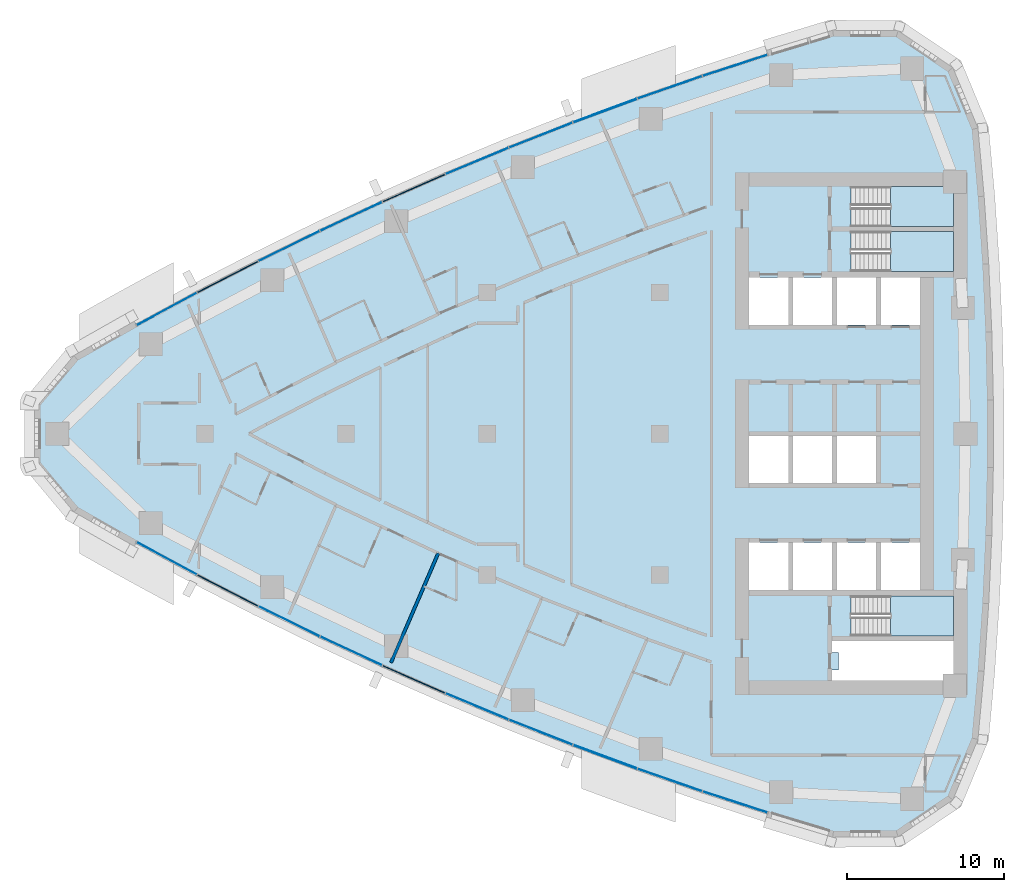
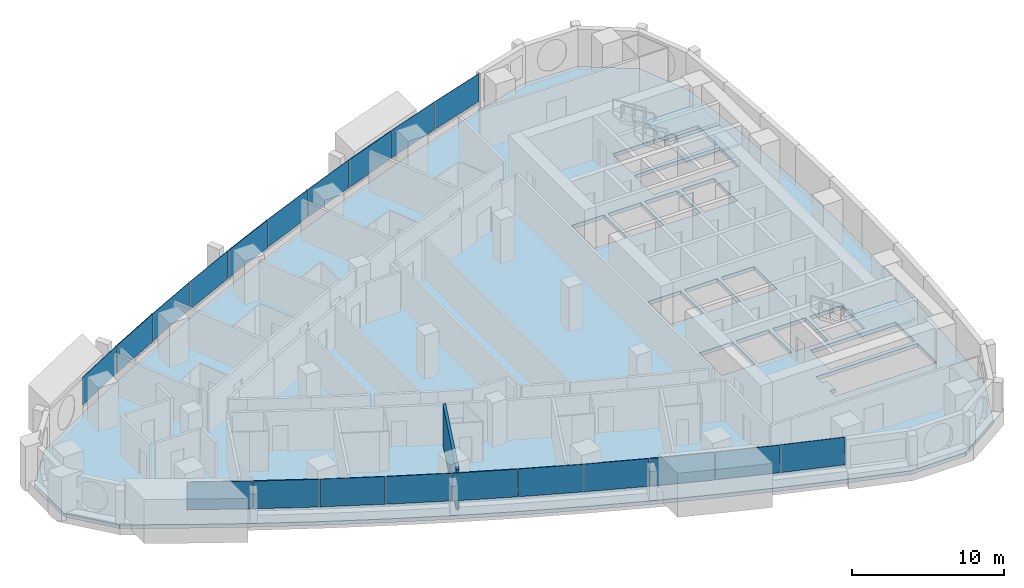
# One storey, part 7 of 17: 20 plates, 4 slabs, 1 wall, 1 opening, 13 elements without a shape of their own.
"""IFC4 building model written with IfcOpenShell, lengths in metres."""

from ifc_helpers import new_model, si_unit, direction, frame, frame_2d, origin, origin_2d, place, context, subcontext, project, spatial, polyline, rectangle, outline, extrude, material, layer, layer_set, type_object, element, aggregate, save


model = new_model("IFC4")

# Units and contexts
model_context = context("Model", 3, precision=1e-05, world=origin(), true_north=direction((0.0, 1.0)))
body_context = subcontext(model_context, "Body", "Model", "MODEL_VIEW")
ifc_project = project(units=[si_unit("LENGTHUNIT", "METRE"), si_unit("AREAUNIT", "SQUARE_METRE"), si_unit("VOLUMEUNIT", "CUBIC_METRE"), si_unit("PLANEANGLEUNIT", "RADIAN"), si_unit("MASSUNIT", "GRAM", prefix="KILO")], contexts=[model_context])

# Site, building, storey
site_placement = place(None, origin())
site = spatial("IfcSite", under=ifc_project, at=site_placement, CompositionType="ELEMENT")
building_placement = place(site_placement, origin())
building = spatial("IfcBuilding", under=site, at=building_placement, Name="Ostrand Prow Hotel Tower", CompositionType="ELEMENT")
storey_placement = place(building_placement, frame((0.0, 0.0, 144.39990234375)))
storey = spatial("IfcBuildingStorey", under=building, at=storey_placement, Name="L35", CompositionType="ELEMENT", Elevation=144.39990234375)

# Curtain wall, plate
ifc_material_1 = material(Name="Insulated glass in bronze anodised frame", Category="glass")
ifc_layer_1 = layer(ifc_material_1, 0.199951171875)
ifc_layer_set_1 = layer_set([ifc_layer_1], Name="Insulated glass in bronze anodised frame")
curtain_wall_type = type_object("IfcCurtainWallType", Name="Strip curtain wall, fritted glass over bronze spandrel", PredefinedType="NOTDEFINED", material=ifc_layer_set_1)
curtain_wall_1_placement = place(storey_placement, origin())
curtain_wall_1 = element("IfcCurtainWall", 1, at=curtain_wall_1_placement, inside=storey, type_object=curtain_wall_type, Name="CW1 run CWS1", PredefinedType="NOTDEFINED")
ifc_material_2 = material(Name="Ceramic-fritted glass", Category="glass")
ifc_layer_2 = layer(ifc_material_2, 0.031982421875)
ifc_layer_set_2 = layer_set([ifc_layer_2], Name="Ceramic-fritted glass")
plate_type_1 = type_object("IfcPlateType", Name="Dot-fritted ceramic glass unit 32 mm", PredefinedType="CURTAIN_PANEL", material=ifc_layer_set_2)
plate_1_placement = place(storey_placement, frame((13.572509765625, -7.951904296875, 1.02001953125), z_axis=(0.0, 0.0, 1.0), x_axis=(0.879773060847, -0.475393901316, 0.0)))
plate_1 = element("IfcPlate", 2, at=plate_1_placement, type_object=plate_type_1, Name="CW1 PN-D panel 1.2", PredefinedType="CURTAIN_PANEL", context=body_context, shape_type="SweptSolid", body=[
    extrude(rectangle(XDim=4.326171875, YDim=0.031982421875, at=origin_2d()), origin(), (0.0, 0.0, 1.0), 2.22998046875),
])

# Curtain wall, plates
curtain_wall_2_placement = place(storey_placement, origin())
curtain_wall_2 = element("IfcCurtainWall", 3, at=curtain_wall_2_placement, inside=storey, type_object=curtain_wall_type, Name="CW1 run CWS2", PredefinedType="NOTDEFINED")
plate_2_placement = place(storey_placement, frame((21.371337890625, -11.9658203125, 1.02001953125), z_axis=(0.0, 0.0, 1.0), x_axis=(0.898164975061, -0.439658592061, 0.0)))
plate_2 = element("IfcPlate", 4, at=plate_2_placement, type_object=plate_type_1, Name="CW1 PN-D panel 1.2", PredefinedType="CURTAIN_PANEL", context=body_context, shape_type="SweptSolid", body=[
    extrude(rectangle(XDim=4.326171875, YDim=0.031982421875, at=origin_2d()), origin(), (0.0, 0.0, 1.0), 2.22998046875),
])
plate_3_placement = place(storey_placement, frame((25.329833984375, -13.8544921875, 1.02001953125), z_axis=(0.0, 0.0, 1.0), x_axis=(0.906818286337, -0.421521761673, 0.0)))
plate_3 = element("IfcPlate", 5, at=plate_3_placement, type_object=plate_type_1, Name="CW1 PN-D panel 2.2", PredefinedType="CURTAIN_PANEL", context=body_context, shape_type="SweptSolid", body=[
    extrude(rectangle(XDim=4.326171875, YDim=0.031982421875, at=origin_2d()), origin(), (0.0, 0.0, 1.0), 2.22998046875),
])
aggregate(curtain_wall_2, [plate_2, plate_3])

# Curtain wall, plate
curtain_wall_3_placement = place(storey_placement, origin())
curtain_wall_3 = element("IfcCurtainWall", 6, at=curtain_wall_3_placement, inside=storey, type_object=curtain_wall_type, Name="CW1 run CWS3", PredefinedType="NOTDEFINED")
plate_4_placement = place(storey_placement, frame((33.3564453125, -17.39111328125, 1.02001953125), z_axis=(0.0, 0.0, 1.0), x_axis=(0.92302364777, -0.384743220418, 0.0)))
plate_4 = element("IfcPlate", 7, at=plate_4_placement, type_object=plate_type_1, Name="CW1 PN-D panel 2.2", PredefinedType="CURTAIN_PANEL", context=body_context, shape_type="SweptSolid", body=[
    extrude(rectangle(XDim=4.326171875, YDim=0.031982421875, at=origin_2d()), origin(), (0.0, 0.0, 1.0), 2.22998046875),
])

curtain_wall_4_placement = place(storey_placement, origin())
curtain_wall_4 = element("IfcCurtainWall", 8, at=curtain_wall_4_placement, inside=storey, type_object=curtain_wall_type, Name="CW1 run CWS4", PredefinedType="NOTDEFINED")
plate_5_placement = place(storey_placement, frame((37.42138671875, -19.037841796875, 1.02001953125), z_axis=(0.0, 0.0, 1.0), x_axis=(0.930569089059, -0.366116334636, 0.0)))
plate_5 = element("IfcPlate", 9, at=plate_5_placement, type_object=plate_type_1, Name="CW1 PN-D panel 1.2", PredefinedType="CURTAIN_PANEL", context=body_context, shape_type="SweptSolid", body=[
    extrude(rectangle(XDim=4.326171875, YDim=0.031982421875, at=origin_2d()), origin(), (0.0, 0.0, 1.0), 2.22998046875),
])

# Curtain wall, plates
curtain_wall_5_placement = place(storey_placement, origin())
curtain_wall_5 = element("IfcCurtainWall", 10, at=curtain_wall_5_placement, inside=storey, type_object=curtain_wall_type, Name="CW1 run CWS5", PredefinedType="NOTDEFINED")
plate_6_placement = place(storey_placement, frame((45.646484375, -22.08447265625, 1.02001953125), z_axis=(0.0, 0.0, 1.0), x_axis=(0.944528947293, -0.328428177424, 0.0)))
plate_6 = element("IfcPlate", 11, at=plate_6_placement, type_object=plate_type_1, Name="CW1 PN-D panel 1.2", PredefinedType="CURTAIN_PANEL", context=body_context, shape_type="SweptSolid", body=[
    extrude(rectangle(XDim=4.326171875, YDim=0.031982421875, at=origin_2d()), origin(), (0.0, 0.0, 1.0), 2.22998046875),
])
plate_7_placement = place(storey_placement, frame((49.803466796875, -23.483154296875, 1.02001953125), z_axis=(0.0, 0.0, 1.0), x_axis=(0.950938332153, -0.309380491373, 0.0)))
plate_7 = element("IfcPlate", 12, at=plate_7_placement, type_object=plate_type_1, Name="CW1 PN-D panel 2.2", PredefinedType="CURTAIN_PANEL", context=body_context, shape_type="SweptSolid", body=[
    extrude(rectangle(XDim=4.326171875, YDim=0.031982421875, at=origin_2d()), origin(), (0.0, 0.0, 1.0), 2.22998046875),
])
aggregate(curtain_wall_5, [plate_6, plate_7])

curtain_wall_6_placement = place(storey_placement, origin())
curtain_wall_6 = element("IfcCurtainWall", 13, at=curtain_wall_6_placement, inside=storey, type_object=curtain_wall_type, Name="CW1 run CWN1", PredefinedType="NOTDEFINED")
plate_8_placement = place(storey_placement, frame((49.803466796875, 23.483154296875, 1.02001953125), z_axis=(0.0, 0.0, 1.0), x_axis=(-0.950938332153, -0.309380491373, 0.0)))
plate_8 = element("IfcPlate", 14, at=plate_8_placement, type_object=plate_type_1, Name="CW1 PN-D panel 1.2", PredefinedType="CURTAIN_PANEL", context=body_context, shape_type="SweptSolid", body=[
    extrude(rectangle(XDim=4.326171875, YDim=0.031982421875, at=origin_2d()), origin(), (0.0, 0.0, 1.0), 2.22998046875),
])
plate_9_placement = place(storey_placement, frame((45.646484375, 22.08447265625, 1.02001953125), z_axis=(0.0, 0.0, 1.0), x_axis=(-0.944528947293, -0.328428177424, 0.0)))
plate_9 = element("IfcPlate", 15, at=plate_9_placement, type_object=plate_type_1, Name="CW1 PN-D panel 2.2", PredefinedType="CURTAIN_PANEL", context=body_context, shape_type="SweptSolid", body=[
    extrude(rectangle(XDim=4.326171875, YDim=0.031982421875, at=origin_2d()), origin(), (0.0, 0.0, 1.0), 2.22998046875),
])
aggregate(curtain_wall_6, [plate_8, plate_9])

# Curtain wall, plate
curtain_wall_7_placement = place(storey_placement, origin())
curtain_wall_7 = element("IfcCurtainWall", 16, at=curtain_wall_7_placement, inside=storey, type_object=curtain_wall_type, Name="CW1 run CWN2", PredefinedType="NOTDEFINED")
plate_10_placement = place(storey_placement, frame((37.42138671875, 19.037841796875, 1.02001953125), z_axis=(0.0, 0.0, 1.0), x_axis=(-0.930569089059, -0.366116334636, 0.0)))
plate_10 = element("IfcPlate", 17, at=plate_10_placement, type_object=plate_type_1, Name="CW1 PN-D panel 2.2", PredefinedType="CURTAIN_PANEL", context=body_context, shape_type="SweptSolid", body=[
    extrude(rectangle(XDim=4.326171875, YDim=0.031982421875, at=origin_2d()), origin(), (0.0, 0.0, 1.0), 2.22998046875),
])

curtain_wall_8_placement = place(storey_placement, origin())
curtain_wall_8 = element("IfcCurtainWall", 18, at=curtain_wall_8_placement, inside=storey, type_object=curtain_wall_type, Name="CW1 run CWN3", PredefinedType="NOTDEFINED")
plate_11_placement = place(storey_placement, frame((33.3564453125, 17.39111328125, 1.02001953125), z_axis=(0.0, 0.0, 1.0), x_axis=(-0.92302364777, -0.384743220418, 0.0)))
plate_11 = element("IfcPlate", 19, at=plate_11_placement, type_object=plate_type_1, Name="CW1 PN-D panel 1.2", PredefinedType="CURTAIN_PANEL", context=body_context, shape_type="SweptSolid", body=[
    extrude(rectangle(XDim=4.326171875, YDim=0.031982421875, at=origin_2d()), origin(), (0.0, 0.0, 1.0), 2.22998046875),
])

# Curtain wall, plates
curtain_wall_9_placement = place(storey_placement, origin())
curtain_wall_9 = element("IfcCurtainWall", 20, at=curtain_wall_9_placement, inside=storey, type_object=curtain_wall_type, Name="CW1 run CWN4", PredefinedType="NOTDEFINED")
plate_12_placement = place(storey_placement, frame((25.329833984375, 13.8544921875, 1.02001953125), z_axis=(0.0, 0.0, 1.0), x_axis=(-0.906818286337, -0.421521761673, 0.0)))
plate_12 = element("IfcPlate", 21, at=plate_12_placement, type_object=plate_type_1, Name="CW1 PN-D panel 1.2", PredefinedType="CURTAIN_PANEL", context=body_context, shape_type="SweptSolid", body=[
    extrude(rectangle(XDim=4.326171875, YDim=0.031982421875, at=origin_2d()), origin(), (0.0, 0.0, 1.0), 2.22998046875),
])
plate_13_placement = place(storey_placement, frame((21.371337890625, 11.9658203125, 1.02001953125), z_axis=(0.0, 0.0, 1.0), x_axis=(-0.898164975061, -0.439658592061, 0.0)))
plate_13 = element("IfcPlate", 22, at=plate_13_placement, type_object=plate_type_1, Name="CW1 PN-D panel 2.2", PredefinedType="CURTAIN_PANEL", context=body_context, shape_type="SweptSolid", body=[
    extrude(rectangle(XDim=4.326171875, YDim=0.031982421875, at=origin_2d()), origin(), (0.0, 0.0, 1.0), 2.22998046875),
])
aggregate(curtain_wall_9, [plate_12, plate_13])

# Curtain wall, plate
curtain_wall_10_placement = place(storey_placement, origin())
curtain_wall_10 = element("IfcCurtainWall", 23, at=curtain_wall_10_placement, inside=storey, type_object=curtain_wall_type, Name="CW1 run CWN5", PredefinedType="NOTDEFINED")
plate_14_placement = place(storey_placement, frame((13.572509765625, 7.951904296875, 1.02001953125), z_axis=(0.0, 0.0, 1.0), x_axis=(-0.879773060847, -0.475393901316, 0.0)))
plate_14 = element("IfcPlate", 24, at=plate_14_placement, type_object=plate_type_1, Name="CW1 PN-D panel 2.2", PredefinedType="CURTAIN_PANEL", context=body_context, shape_type="SweptSolid", body=[
    extrude(rectangle(XDim=4.326171875, YDim=0.031982421875, at=origin_2d()), origin(), (0.0, 0.0, 1.0), 2.22998046875),
])

# Plate
ifc_material_3 = material(Name="Fritted glass in bronze vent frame", Category="glass")
ifc_layer_3 = layer(ifc_material_3, 0.06005859375)
ifc_layer_set_3 = layer_set([ifc_layer_3], Name="Fritted glass in bronze vent frame")
plate_type_2 = type_object("IfcPlateType", Name="Operable vent panel 60 mm", PredefinedType="CURTAIN_PANEL", material=ifc_layer_set_3)
plate_15_placement = place(storey_placement, frame((17.45166015625, -9.998046875, 1.02001953125), z_axis=(0.0, 0.0, 1.0), x_axis=(0.889148164146, -0.457619429434, 0.0)))
plate_15 = element("IfcPlate", 25, at=plate_15_placement, type_object=plate_type_2, Name="CW1 PN-O panel 2.2", PredefinedType="CURTAIN_PANEL", context=body_context, shape_type="SweptSolid", body=[
    extrude(rectangle(XDim=4.326171875, YDim=0.06005859375, at=origin_2d()), origin(), (0.0, 0.0, 1.0), 2.22998046875),
])

aggregate(curtain_wall_1, [plate_1, plate_15])

plate_16_placement = place(storey_placement, frame((29.3251953125, -15.6630859375, 1.02001953125), z_axis=(0.0, 0.0, 1.0), x_axis=(0.915106105993, -0.403213113347, 0.0)))
plate_16 = element("IfcPlate", 26, at=plate_16_placement, type_object=plate_type_2, Name="CW1 PN-O panel 1.2", PredefinedType="CURTAIN_PANEL", context=body_context, shape_type="SweptSolid", body=[
    extrude(rectangle(XDim=4.326171875, YDim=0.06005859375, at=origin_2d()), origin(), (0.0, 0.0, 1.0), 2.22998046875),
])

aggregate(curtain_wall_3, [plate_16, plate_4])

plate_17_placement = place(storey_placement, frame((41.518798828125, -20.6025390625, 1.02001953125), z_axis=(0.0, 0.0, 1.0), x_axis=(0.937738678558, -0.347341576459, 0.0)))
plate_17 = element("IfcPlate", 27, at=plate_17_placement, type_object=plate_type_2, Name="CW1 PN-O panel 2.2", PredefinedType="CURTAIN_PANEL", context=body_context, shape_type="SweptSolid", body=[
    extrude(rectangle(XDim=4.326171875, YDim=0.06005859375, at=origin_2d()), origin(), (0.0, 0.0, 1.0), 2.22998046875),
])

aggregate(curtain_wall_4, [plate_5, plate_17])

plate_18_placement = place(storey_placement, frame((41.518798828125, 20.6025390625, 1.02001953125), z_axis=(0.0, 0.0, 1.0), x_axis=(-0.937738678558, -0.347341576459, 0.0)))
plate_18 = element("IfcPlate", 28, at=plate_18_placement, type_object=plate_type_2, Name="CW1 PN-O panel 1.2", PredefinedType="CURTAIN_PANEL", context=body_context, shape_type="SweptSolid", body=[
    extrude(rectangle(XDim=4.326171875, YDim=0.06005859375, at=origin_2d()), origin(), (0.0, 0.0, 1.0), 2.22998046875),
])

aggregate(curtain_wall_7, [plate_18, plate_10])

plate_19_placement = place(storey_placement, frame((29.3251953125, 15.6630859375, 1.02001953125), z_axis=(0.0, 0.0, 1.0), x_axis=(-0.915106105993, -0.403213113347, 0.0)))
plate_19 = element("IfcPlate", 29, at=plate_19_placement, type_object=plate_type_2, Name="CW1 PN-O panel 2.2", PredefinedType="CURTAIN_PANEL", context=body_context, shape_type="SweptSolid", body=[
    extrude(rectangle(XDim=4.326171875, YDim=0.06005859375, at=origin_2d()), origin(), (0.0, 0.0, 1.0), 2.22998046875),
])

aggregate(curtain_wall_8, [plate_11, plate_19])

plate_20_placement = place(storey_placement, frame((17.45166015625, 9.998046875, 1.02001953125), z_axis=(0.0, 0.0, 1.0), x_axis=(-0.889148164146, -0.457619429434, 0.0)))
plate_20 = element("IfcPlate", 30, at=plate_20_placement, type_object=plate_type_2, Name="CW1 PN-O panel 1.2", PredefinedType="CURTAIN_PANEL", context=body_context, shape_type="SweptSolid", body=[
    extrude(rectangle(XDim=4.326171875, YDim=0.06005859375, at=origin_2d()), origin(), (0.0, 0.0, 1.0), 2.22998046875),
])

aggregate(curtain_wall_10, [plate_20, plate_14])

# Slab, opening
ifc_material_4 = material(Name="Concrete C40/50", Category="concrete")
ifc_layer_4 = layer(ifc_material_4, 0.300048828125)
ifc_layer_set_4 = layer_set([ifc_layer_4], Name="Concrete C40/50")
slab_type_1 = type_object("IfcSlabType", Name="PT flat plate 300 C40/50", PredefinedType="FLOOR", material=ifc_layer_set_4)
slab_1_placement = place(storey_placement, frame((0.0, 0.0, -0.2998046875)))
slab_1 = element("IfcSlab", 31, at=slab_1_placement, inside=storey, type_object=slab_type_1, Name="Floor slab L35-1", PredefinedType="FLOOR", context=body_context, shape_type="SweptSolid", body=[
    extrude(outline(polyline([(7.658203125, 4.952880859375), (11.51611328125, 7.138916015625), (15.37939453125, 9.2265625), (19.283935546875, 11.236083984375), (23.228271484375, 13.166748046875), (27.210205078125, 15.017822265625), (31.22900390625, 16.788330078125), (35.2822265625, 18.47802734375), (39.36865234375, 20.085693359375), (43.486572265625, 21.611083984375), (47.63427734375, 23.05322265625), (51.810302734375, 24.411865234375), (56.046630859375, 25.696533203125), (60.193115234375, 25.6640625), (63.664306640625, 23.328125), (65.256103515625, 19.498779296875), (65.650390625, 15.148681640625), (65.944091796875, 10.825927734375), (66.139892578125, 6.497802734375), (66.23779296875, 2.166259765625), (66.23779296875, -2.166259765625), (66.139892578125, -6.497802734375), (65.944091796875, -10.825927734375), (65.650390625, -15.148681640625), (65.256103515625, -19.498779296875), (63.664306640625, -23.328125), (60.193115234375, -25.6640625), (56.046630859375, -25.696533203125), (51.810302734375, -24.411865234375), (47.63427734375, -23.05322265625), (43.486572265625, -21.611083984375), (39.36865234375, -20.085693359375), (35.2822265625, -18.47802734375), (31.22900390625, -16.788330078125), (27.210205078125, -15.017822265625), (23.228271484375, -13.166748046875), (19.283935546875, -11.236083984375), (15.37939453125, -9.2265625), (11.51611328125, -7.138916015625), (7.658203125, -4.952880859375), (5.16064453125, -1.968505859375), (5.16064453125, 1.968505859375), (7.658203125, 4.952880859375)]), holes=[polyline([(50.699951171875, 6.949951171875), (53.199951171875, 6.949951171875), (53.199951171875, 9.949951171875), (50.699951171875, 9.949951171875), (50.699951171875, 6.949951171875)]), polyline([(53.5, 6.949951171875), (56.0, 6.949951171875), (56.0, 9.949951171875), (53.5, 9.949951171875), (53.5, 6.949951171875)]), polyline([(56.300048828125, 6.949951171875), (58.800048828125, 6.949951171875), (58.800048828125, 9.949951171875), (56.300048828125, 9.949951171875), (56.300048828125, 6.949951171875)]), polyline([(59.10009765625, 6.949951171875), (61.60009765625, 6.949951171875), (61.60009765625, 9.949951171875), (59.10009765625, 9.949951171875), (59.10009765625, 6.949951171875)]), polyline([(50.699951171875, -3.14990234375), (53.199951171875, -3.14990234375), (53.199951171875, -0.14990234375), (50.699951171875, -0.14990234375), (50.699951171875, -3.14990234375)]), polyline([(53.5, -3.14990234375), (56.0, -3.14990234375), (56.0, -0.14990234375), (53.5, -0.14990234375), (53.5, -3.14990234375)]), polyline([(56.300048828125, -3.14990234375), (58.800048828125, -3.14990234375), (58.800048828125, -0.14990234375), (56.300048828125, -0.14990234375), (56.300048828125, -3.14990234375)]), polyline([(50.699951171875, -9.949951171875), (53.199951171875, -9.949951171875), (53.199951171875, -6.949951171875), (50.699951171875, -6.949951171875), (50.699951171875, -9.949951171875)]), polyline([(53.5, -9.949951171875), (56.0, -9.949951171875), (56.0, -6.949951171875), (53.5, -6.949951171875), (53.5, -9.949951171875)]), polyline([(56.300048828125, -9.949951171875), (58.800048828125, -9.949951171875), (58.800048828125, -6.949951171875), (56.300048828125, -6.949951171875), (56.300048828125, -9.949951171875)]), polyline([(59.10009765625, -9.949951171875), (61.60009765625, -9.949951171875), (61.60009765625, -6.949951171875), (59.10009765625, -6.949951171875), (59.10009765625, -9.949951171875)]), polyline([(57.200927734375, 10.35107421875), (57.200927734375, 12.89892578125), (63.718994140625, 12.89892578125), (63.718994140625, 10.35107421875), (57.200927734375, 10.35107421875)]), polyline([(57.200927734375, 13.200927734375), (57.200927734375, 15.7490234375), (63.718994140625, 15.7490234375), (63.718994140625, 13.200927734375), (57.200927734375, 13.200927734375)]), polyline([(57.200927734375, -12.89892578125), (57.200927734375, -10.35107421875), (63.718994140625, -10.35107421875), (63.718994140625, -12.89892578125), (57.200927734375, -12.89892578125)]), polyline([(56.0, -13.199951171875), (63.719970703125, -13.199951171875), (63.719970703125, -15.75), (56.0, -15.75), (56.0, -15.050048828125), (56.39990234375, -15.050048828125), (56.39990234375, -13.949951171875), (56.0, -13.949951171875), (56.0, -13.199951171875)])]), origin(), (0.0, 0.0, 1.0), 0.2998046875),
])
opening_placement = place(slab_1_placement, origin())
element("IfcOpeningElement", 32, at=opening_placement, cuts=slab_1, Name="Shaft opening 1", PredefinedType="OPENING", context=body_context, shape_type="SweptSolid", body=[
    extrude(outline(polyline([(56.0, -13.199951171875), (63.719970703125, -13.199951171875), (63.719970703125, -15.75), (56.0, -15.75), (56.0, -15.050048828125), (56.39990234375, -15.050048828125), (56.39990234375, -13.949951171875), (56.0, -13.949951171875), (56.0, -13.199951171875)])), origin(), (0.0, 0.0, 1.0), 0.2998046875),
])

# Stair, slab
ifc_material_5 = material(Name="Concrete C40/50", Category="concrete")
stair_type = type_object("IfcStairType", Name="Exit stair 1200 upper zone", PredefinedType="HALF_TURN_STAIR", material=ifc_material_5)
stair_1_placement = place(storey_placement, origin())
stair_1 = element("IfcStair", 33, at=stair_1_placement, inside=storey, type_object=stair_type, Name="L35 ST1C", PredefinedType="HALF_TURN_STAIR")
ifc_material_6 = material(Name="Concrete C40/50", Category="concrete")
ifc_layer_5 = layer(ifc_material_6, 0.199951171875)
ifc_layer_set_5 = layer_set([ifc_layer_5], Name="Concrete C40/50")
slab_type_2 = type_object("IfcSlabType", Name="Stair landing 200 concrete", PredefinedType="LANDING", material=ifc_layer_set_5)
slab_2_placement = place(storey_placement, frame((0.0, 0.0, 1.5751953125)))
slab_2 = element("IfcSlab", 34, at=slab_2_placement, type_object=slab_type_2, Name="ST1C landing 1", PredefinedType="LANDING", context=body_context, shape_type="SweptSolid", body=[
    extrude(outline(polyline([(59.719970703125, 10.35009765625), (63.719970703125, 10.35009765625), (63.719970703125, 12.89990234375), (59.719970703125, 12.89990234375), (59.719970703125, 10.35009765625)])), origin(), (0.0, 0.0, 1.0), 0.199951171875),
])
aggregate(stair_1, [slab_2])

stair_2_placement = place(storey_placement, origin())
stair_2 = element("IfcStair", 35, at=stair_2_placement, inside=storey, type_object=stair_type, Name="L35 ST3C", PredefinedType="HALF_TURN_STAIR")
slab_3_placement = place(storey_placement, frame((0.0, 0.0, 1.5751953125)))
slab_3 = element("IfcSlab", 36, at=slab_3_placement, type_object=slab_type_2, Name="ST3C landing 1", PredefinedType="LANDING", context=body_context, shape_type="SweptSolid", body=[
    extrude(outline(polyline([(59.719970703125, 13.199951171875), (63.719970703125, 13.199951171875), (63.719970703125, 15.75), (59.719970703125, 15.75), (59.719970703125, 13.199951171875)])), origin(), (0.0, 0.0, 1.0), 0.199951171875),
])
aggregate(stair_2, [slab_3])

stair_3_placement = place(storey_placement, origin())
stair_3 = element("IfcStair", 37, at=stair_3_placement, inside=storey, type_object=stair_type, Name="L35 ST2C", PredefinedType="HALF_TURN_STAIR")
slab_4_placement = place(storey_placement, frame((0.0, 0.0, 1.5751953125)))
slab_4 = element("IfcSlab", 38, at=slab_4_placement, type_object=slab_type_2, Name="ST2C landing 1", PredefinedType="LANDING", context=body_context, shape_type="SweptSolid", body=[
    extrude(outline(polyline([(59.719970703125, -12.89990234375), (63.719970703125, -12.89990234375), (63.719970703125, -10.35009765625), (59.719970703125, -10.35009765625), (59.719970703125, -12.89990234375)])), origin(), (0.0, 0.0, 1.0), 0.199951171875),
])
aggregate(stair_3, [slab_4])

# Wall
ifc_material_7 = material(Name="Plasterboard partition")
ifc_layer_6 = layer(ifc_material_7, 0.199951171875)
ifc_layer_set_6 = layer_set([ifc_layer_6], Name="Plasterboard partition")
wall_type = type_object("IfcWallType", Name="Partition 200 key partition", PredefinedType="PARTITIONING", material=ifc_layer_set_6)
wall_placement = place(storey_placement, frame((27.870361328125, -14.598388671875, 0.0), z_axis=(0.0, 0.0, 1.0), x_axis=(0.395976934703, 0.91826045716, 0.0)))
element("IfcWall", 39, at=wall_placement, inside=storey, type_object=wall_type, Name="KEY PARTITION", PredefinedType="PARTITIONING", context=body_context, shape_type="SweptSolid", body=[
    extrude(rectangle(XDim=7.600341796875, YDim=0.199951171875, at=frame_2d((3.80029296875, 0.0))), origin(), (0.0, 0.0, 1.0), 3.25),
])

save(model, "model.ifc")
